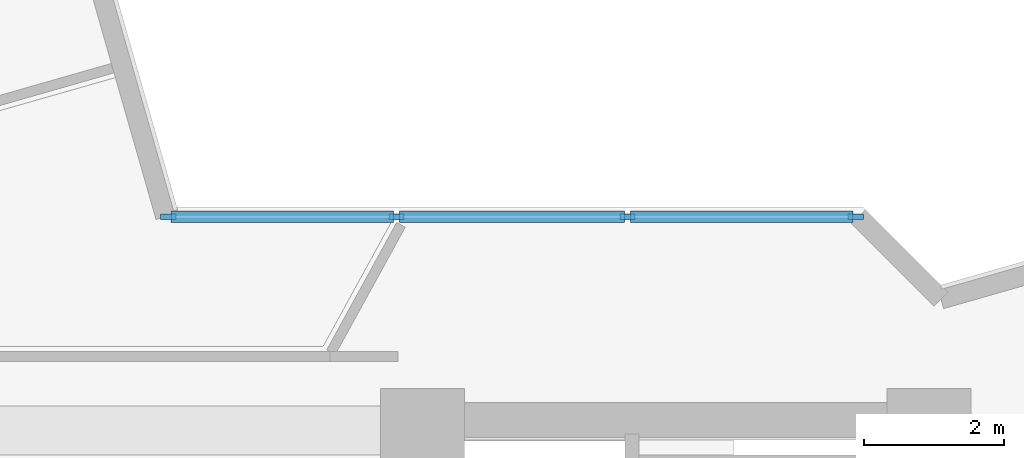
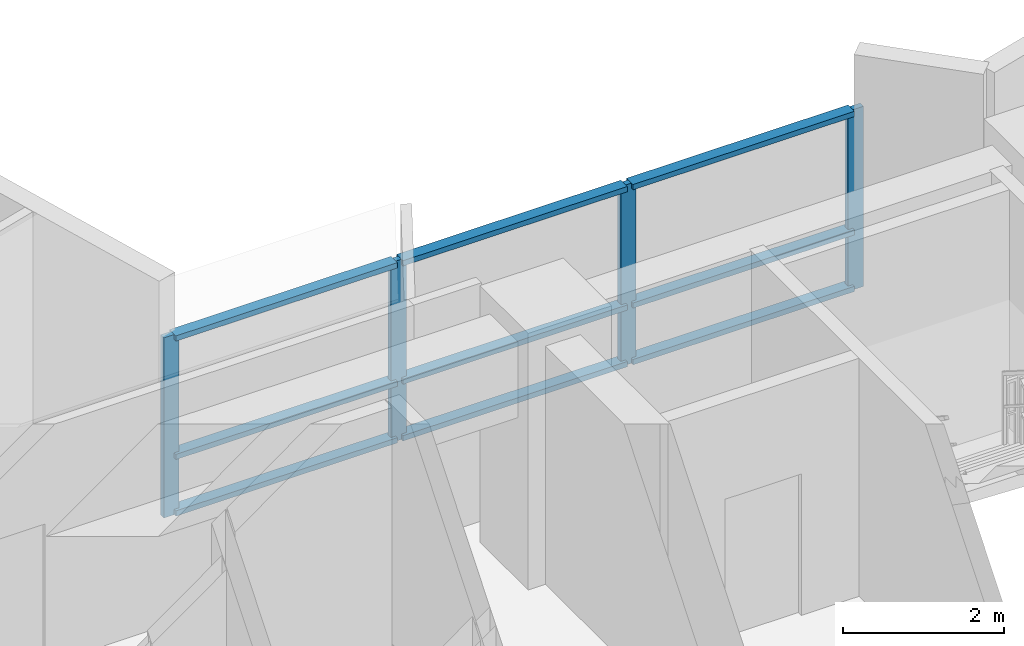
# One storey, part 4 of 14: 13 members, 1 element without a shape of its own.
"""IFC4 building model written with IfcOpenShell, lengths in metres."""

from ifc_helpers import new_model, si_unit, direction, frame, origin, origin_2d, place, context, subcontext, project, spatial, rectangle, extrude, source, transform, mapped, material, layer, layer_set, material_profile, profile_set, type_object, element, aggregate, save


model = new_model("IFC4")

# Units and contexts
model_context = context("Model", 3, precision=1e-05, world=origin(), true_north=direction((0.0, 1.0)))
body_context = subcontext(model_context, "Body", "Model", "MODEL_VIEW")
ifc_project = project(units=[si_unit("LENGTHUNIT", "METRE"), si_unit("AREAUNIT", "SQUARE_METRE"), si_unit("VOLUMEUNIT", "CUBIC_METRE"), si_unit("PLANEANGLEUNIT", "RADIAN"), si_unit("MASSUNIT", "GRAM", prefix="KILO")], contexts=[model_context])

# Site, building, storey
site_placement = place(None, origin())
site = spatial("IfcSite", under=ifc_project, at=site_placement, CompositionType="ELEMENT")
building_placement = place(site_placement, origin())
building = spatial("IfcBuilding", under=site, at=building_placement, Name="Zahravan Cultural Tower", CompositionType="ELEMENT")
storey_placement = place(building_placement, frame((0.0, 0.0, 201.89990234375)))
storey = spatial("IfcBuildingStorey", under=building, at=storey_placement, Name="L47", CompositionType="ELEMENT", Elevation=201.89990234375)

# Curtain wall, members
ifc_material = material(Name="Anodised bronze-aluminium mullion", Category="aluminium")
ifc_layer = layer(ifc_material, 0.219970703125)
ifc_layer_set = layer_set([ifc_layer], Name="Anodised bronze-aluminium mullion")
curtain_wall_type = type_object("IfcCurtainWallType", Name="CW-SYS-1", PredefinedType="USERDEFINED", material=ifc_layer_set)
curtain_wall_placement = place(storey_placement, origin())
curtain_wall = element("IfcCurtainWall", 1, at=curtain_wall_placement, inside=storey, type_object=curtain_wall_type, Name="L47 Recessed Curtain Wall CW-1.2", ObjectType="RECESSED GLAZING", PredefinedType="USERDEFINED")
ifc_material_profile_1 = material_profile(ifc_material, rectangle(XDim=0.080078125, YDim=0.219970703125, at=origin_2d()), Name="AL-M80X220")
ifc_profile_set_1 = profile_set([ifc_material_profile_1], Name="Anodised bronze-aluminium mullion")
member_type_1 = type_object("IfcMemberType", Name="CWM-CW-1", PredefinedType="MULLION", material=ifc_profile_set_1)
shared_shape_1 = source(origin(), body_context, "Body", "SweptSolid", [
    extrude(rectangle(XDim=0.080078125, YDim=0.219970703125, at=origin_2d()), origin(), (0.0, 0.0, 1.0), 2.739990234375),
])
member_1_placement = place(storey_placement, frame((39.460693359375, 39.260009765625, 0.0), z_axis=(0.0, 0.0, 1.0), x_axis=(0.0, 1.0, 0.0)))
member_1 = element("IfcMember", 2, at=member_1_placement, type_object=member_type_1, Name="CW-1 mullion 1", PredefinedType="MULLION", context=body_context, shape_type="MappedRepresentation", body=[
    mapped(shared_shape_1, transform((0.0, 0.0, 0.0), x_axis=(1.0, 0.0, 0.0), y_axis=(0.0, 1.0, 0.0), z_axis=(0.0, 0.0, 1.0), scale=1.0)),
])
member_2_placement = place(storey_placement, frame((42.727783203125, 39.260009765625, 0.0), z_axis=(0.0, 0.0, 1.0), x_axis=(0.0, 1.0, 0.0)))
member_2 = element("IfcMember", 3, at=member_2_placement, type_object=member_type_1, Name="CW-1 mullion 2", PredefinedType="MULLION", context=body_context, shape_type="MappedRepresentation", body=[
    mapped(shared_shape_1, transform((0.0, 0.0, 0.0), x_axis=(1.0, 0.0, 0.0), y_axis=(0.0, 1.0, 0.0), z_axis=(0.0, 0.0, 1.0), scale=1.0)),
])
member_3_placement = place(storey_placement, frame((46.034912109375, 39.260009765625, 0.0), z_axis=(0.0, 0.0, 1.0), x_axis=(0.0, 1.0, 0.0)))
member_3 = element("IfcMember", 4, at=member_3_placement, type_object=member_type_1, Name="CW-1 mullion 3", PredefinedType="MULLION", context=body_context, shape_type="MappedRepresentation", body=[
    mapped(shared_shape_1, transform((0.0, 0.0, 0.0), x_axis=(1.0, 0.0, 0.0), y_axis=(0.0, 1.0, 0.0), z_axis=(0.0, 0.0, 1.0), scale=1.0)),
])
member_4_placement = place(storey_placement, frame((49.302001953125, 39.260009765625, 0.0), z_axis=(0.0, 0.0, 1.0), x_axis=(0.0, 1.0, 0.0)))
member_4 = element("IfcMember", 5, at=member_4_placement, type_object=member_type_1, Name="CW-1 mullion 4", PredefinedType="MULLION", context=body_context, shape_type="MappedRepresentation", body=[
    mapped(shared_shape_1, transform((0.0, 0.0, 0.0), x_axis=(1.0, 0.0, 0.0), y_axis=(0.0, 1.0, 0.0), z_axis=(0.0, 0.0, 1.0), scale=1.0)),
])
ifc_material_profile_2 = material_profile(ifc_material, rectangle(XDim=0.159912109375, YDim=0.080078125, at=origin_2d()), Name="AL-T80X160")
ifc_profile_set_2 = profile_set([ifc_material_profile_2], Name="Anodised bronze-aluminium mullion")
member_type_2 = type_object("IfcMemberType", Name="CWT-CW-1", PredefinedType="USERDEFINED", material=ifc_profile_set_2)
shared_shape_2 = source(origin(), body_context, "Body", "SweptSolid", [
    extrude(rectangle(XDim=0.159912109375, YDim=0.080078125, at=origin_2d()), origin(), (0.0, 0.0, 1.0), 3.18701171875),
])
member_5_placement = place(storey_placement, frame((39.500732421875, 39.260009765625, 0.0400390625), z_axis=(1.0, 0.0, 0.0), x_axis=(0.0, 1.0, 0.0)))
member_5 = element("IfcMember", 6, at=member_5_placement, type_object=member_type_2, Name="CW-1 transom 1.1", ObjectType="TRANSOM", PredefinedType="USERDEFINED", context=body_context, shape_type="MappedRepresentation", body=[
    mapped(shared_shape_2, transform((0.0, 0.0, 0.0), x_axis=(1.0, 0.0, 0.0), y_axis=(0.0, 1.0, 0.0), z_axis=(0.0, 0.0, 1.0), scale=1.0)),
])
member_6_placement = place(storey_placement, frame((39.500732421875, 39.260009765625, 0.900146484375), z_axis=(1.0, 0.0, 0.0), x_axis=(0.0, 1.0, 0.0)))
member_6 = element("IfcMember", 7, at=member_6_placement, type_object=member_type_2, Name="CW-1 transom 1.2", ObjectType="TRANSOM", PredefinedType="USERDEFINED", context=body_context, shape_type="MappedRepresentation", body=[
    mapped(shared_shape_2, transform((0.0, 0.0, 0.0), x_axis=(1.0, 0.0, 0.0), y_axis=(0.0, 1.0, 0.0), z_axis=(0.0, 0.0, 1.0), scale=1.0)),
])
member_7_placement = place(storey_placement, frame((39.500732421875, 39.260009765625, 2.7001953125), z_axis=(1.0, 0.0, 0.0), x_axis=(0.0, 1.0, 0.0)))
member_7 = element("IfcMember", 8, at=member_7_placement, type_object=member_type_2, Name="CW-1 transom 1.3", ObjectType="TRANSOM", PredefinedType="USERDEFINED", context=body_context, shape_type="MappedRepresentation", body=[
    mapped(shared_shape_2, transform((0.0, 0.0, 0.0), x_axis=(1.0, 0.0, 0.0), y_axis=(0.0, 1.0, 0.0), z_axis=(0.0, 0.0, 1.0), scale=1.0)),
])
member_8_placement = place(storey_placement, frame((46.074951171875, 39.260009765625, 0.0400390625), z_axis=(1.0, 0.0, 0.0), x_axis=(0.0, 1.0, 0.0)))
member_8 = element("IfcMember", 9, at=member_8_placement, type_object=member_type_2, Name="CW-1 transom 3.1", ObjectType="TRANSOM", PredefinedType="USERDEFINED", context=body_context, shape_type="MappedRepresentation", body=[
    mapped(shared_shape_2, transform((0.0, 0.0, 0.0), x_axis=(1.0, 0.0, 0.0), y_axis=(0.0, 1.0, 0.0), z_axis=(0.0, 0.0, 1.0), scale=1.0)),
])
member_9_placement = place(storey_placement, frame((46.074951171875, 39.260009765625, 0.900146484375), z_axis=(1.0, 0.0, 0.0), x_axis=(0.0, 1.0, 0.0)))
member_9 = element("IfcMember", 10, at=member_9_placement, type_object=member_type_2, Name="CW-1 transom 3.2", ObjectType="TRANSOM", PredefinedType="USERDEFINED", context=body_context, shape_type="MappedRepresentation", body=[
    mapped(shared_shape_2, transform((0.0, 0.0, 0.0), x_axis=(1.0, 0.0, 0.0), y_axis=(0.0, 1.0, 0.0), z_axis=(0.0, 0.0, 1.0), scale=1.0)),
])
member_10_placement = place(storey_placement, frame((46.074951171875, 39.260009765625, 2.7001953125), z_axis=(1.0, 0.0, 0.0), x_axis=(0.0, 1.0, 0.0)))
member_10 = element("IfcMember", 11, at=member_10_placement, type_object=member_type_2, Name="CW-1 transom 3.3", ObjectType="TRANSOM", PredefinedType="USERDEFINED", context=body_context, shape_type="MappedRepresentation", body=[
    mapped(shared_shape_2, transform((0.0, 0.0, 0.0), x_axis=(1.0, 0.0, 0.0), y_axis=(0.0, 1.0, 0.0), z_axis=(0.0, 0.0, 1.0), scale=1.0)),
])
shared_shape_3 = source(origin(), body_context, "Body", "SweptSolid", [
    extrude(rectangle(XDim=0.159912109375, YDim=0.080078125, at=origin_2d()), origin(), (0.0, 0.0, 1.0), 3.22705078125),
])
member_11_placement = place(storey_placement, frame((42.767822265625, 39.260009765625, 0.0400390625), z_axis=(1.0, 0.0, 0.0), x_axis=(0.0, 1.0, 0.0)))
member_11 = element("IfcMember", 12, at=member_11_placement, type_object=member_type_2, Name="CW-1 transom 2.1", ObjectType="TRANSOM", PredefinedType="USERDEFINED", context=body_context, shape_type="MappedRepresentation", body=[
    mapped(shared_shape_3, transform((0.0, 0.0, 0.0), x_axis=(1.0, 0.0, 0.0), y_axis=(0.0, 1.0, 0.0), z_axis=(0.0, 0.0, 1.0), scale=1.0)),
])
member_12_placement = place(storey_placement, frame((42.767822265625, 39.260009765625, 0.900146484375), z_axis=(1.0, 0.0, 0.0), x_axis=(0.0, 1.0, 0.0)))
member_12 = element("IfcMember", 13, at=member_12_placement, type_object=member_type_2, Name="CW-1 transom 2.2", ObjectType="TRANSOM", PredefinedType="USERDEFINED", context=body_context, shape_type="MappedRepresentation", body=[
    mapped(shared_shape_3, transform((0.0, 0.0, 0.0), x_axis=(1.0, 0.0, 0.0), y_axis=(0.0, 1.0, 0.0), z_axis=(0.0, 0.0, 1.0), scale=1.0)),
])
member_13_placement = place(storey_placement, frame((42.767822265625, 39.260009765625, 2.7001953125), z_axis=(1.0, 0.0, 0.0), x_axis=(0.0, 1.0, 0.0)))
member_13 = element("IfcMember", 14, at=member_13_placement, type_object=member_type_2, Name="CW-1 transom 2.3", ObjectType="TRANSOM", PredefinedType="USERDEFINED", context=body_context, shape_type="MappedRepresentation", body=[
    mapped(shared_shape_3, transform((0.0, 0.0, 0.0), x_axis=(1.0, 0.0, 0.0), y_axis=(0.0, 1.0, 0.0), z_axis=(0.0, 0.0, 1.0), scale=1.0)),
])
aggregate(curtain_wall, [member_1, member_2, member_3, member_4, member_5, member_6, member_7, member_11, member_12, member_13, member_8, member_9, member_10])

save(model, "model.ifc")
